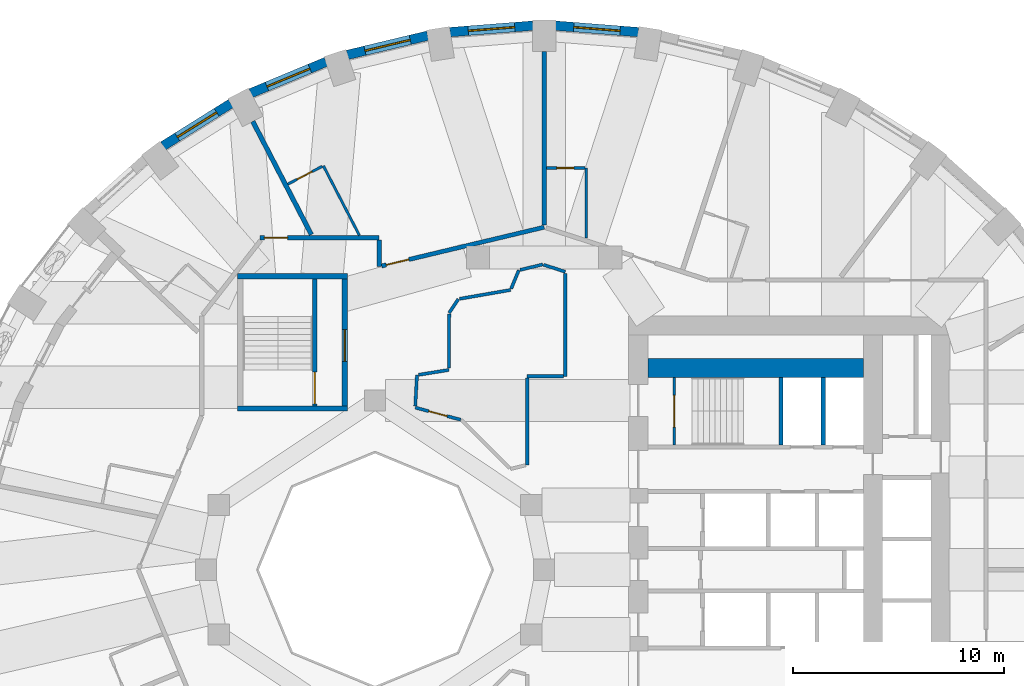
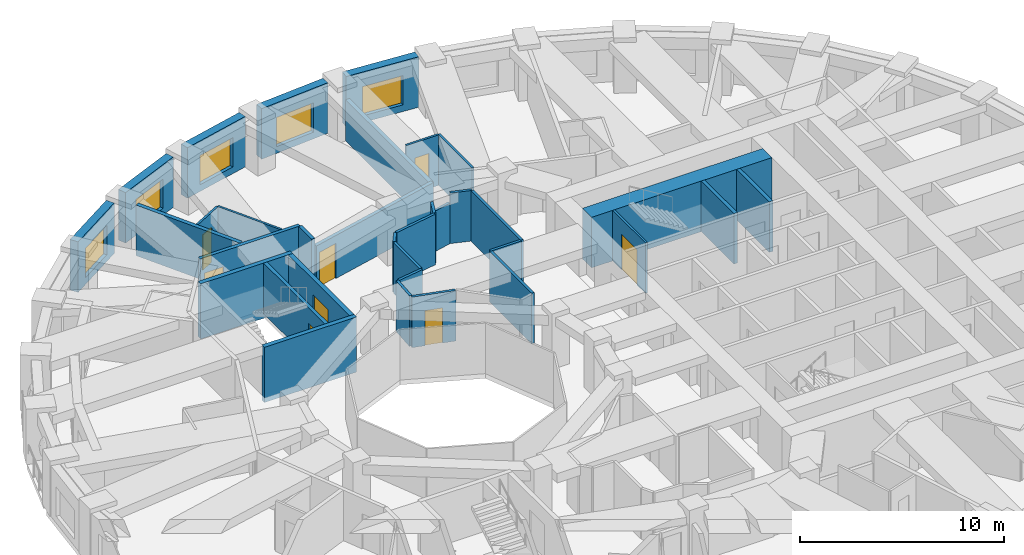
# One storey, part 8 of 13: 34 walls, 8 doors, 5 windows, 13 openings.
"""IFC4 building model written with IfcOpenShell, lengths in metres."""

import ifcopenshell
import ifcopenshell.guid

model = None  # the IFC model being written
_history = None  # IfcOwnerHistory: only IFC2X3 demands one
_inside = {}  # id of a spatial element -> (the spatial element, [elements in it])
_under = {}  # id of a project, library or spatial element -> (it, [spatial elements below it])
_declared = {}  # id of a project -> (the project, [libraries it declares])
_typed = {}  # id of a type object -> (the type object, [elements of that type])
_made_of = {}  # id of a material, layer set ... -> (it, [elements and type objects made of it])


def new_model(schema):
    """Start an empty IFC model of exactly this schema.

    Asked for "IFC4X3", IfcOpenShell would pick the latest addendum, in which some entities
    have other attributes; the version numbers below select the first issue.
    IFC2X3 requires an IfcOwnerHistory on every rooted entity: one is made here for all.
    """
    global model, _history
    if schema == "IFC4X3":
        model = ifcopenshell.file(schema_version=(4, 3, 0, 0))
    else:
        model = ifcopenshell.file(schema=schema)
    _inside.clear()
    _under.clear()
    _declared.clear()
    _typed.clear()
    _made_of.clear()
    _history = None
    if model.schema == "IFC2X3":
        org = make("IfcOrganization", Name="unknown")
        user = make(
            "IfcPersonAndOrganization",
            ThePerson=make("IfcPerson", FamilyName="unknown"),
            TheOrganization=org,
        )
        app = make(
            "IfcApplication",
            ApplicationDeveloper=org,
            Version="unknown",
            ApplicationFullName="unknown",
            ApplicationIdentifier="unknown",
        )
        _history = make(
            "IfcOwnerHistory",
            OwningUser=user,
            OwningApplication=app,
            ChangeAction="ADDED",
            CreationDate=0,
        )
    return model


def make(cls, **values):
    """One entity of the class cls with the attributes given. An attribute that is None is left unset."""
    return model.create_entity(
        cls, **{name: value for name, value in values.items() if value is not None}
    )


def rooted(cls, **values):
    """An entity with a GlobalId (a new one), such as an element, a storey or a relation."""
    return make(cls, GlobalId=ifcopenshell.guid.new(), OwnerHistory=_history, **values)


def si_unit(unit_type, name, prefix=None):
    """IfcSIUnit, for example si_unit("LENGTHUNIT", "METRE", prefix="MILLI")."""
    return make("IfcSIUnit", UnitType=unit_type, Prefix=prefix, Name=name)


def assignment(units):
    """IfcUnitAssignment: the units of a project."""
    return None if units is None else make("IfcUnitAssignment", Units=units)


def point(xyz):
    """IfcCartesianPoint."""
    return None if xyz is None else make("IfcCartesianPoint", Coordinates=xyz)


def direction(xyz):
    """IfcDirection."""
    return None if xyz is None else make("IfcDirection", DirectionRatios=xyz)


def frame(location, z_axis=None, x_axis=None):
    """IfcAxis2Placement3D, a coordinate frame: its origin and axes. An axis left out is left unset."""
    return make(
        "IfcAxis2Placement3D",
        Location=point(location),
        Axis=direction(z_axis),
        RefDirection=direction(x_axis),
    )


def frame_2d(location, x_axis=None):
    """IfcAxis2Placement2D, a coordinate frame in the plane: its origin and x axis."""
    return make(
        "IfcAxis2Placement2D", Location=point(location), RefDirection=direction(x_axis)
    )


def origin():
    """The frame at (0, 0, 0) with its axes left unset."""
    return frame((0.0, 0.0, 0.0))


def place(relative_to, where):
    """IfcLocalPlacement: puts the frame where relative to a parent placement (None: the world)."""
    return make(
        "IfcLocalPlacement", PlacementRelTo=relative_to, RelativePlacement=where
    )


def context(
    kind, dimensions, precision=None, world=None, true_north=None, identifier=None
):
    """IfcGeometricRepresentationContext, for example the 3D "Model" context."""
    return make(
        "IfcGeometricRepresentationContext",
        ContextIdentifier=identifier,
        ContextType=kind,
        CoordinateSpaceDimension=dimensions,
        Precision=precision,
        WorldCoordinateSystem=world,
        TrueNorth=true_north,
    )


def subcontext(parent, identifier, kind, view, scale=None):
    """IfcGeometricRepresentationSubContext, for example "Body" below "Model"."""
    return make(
        "IfcGeometricRepresentationSubContext",
        ContextIdentifier=identifier,
        ContextType=kind,
        ParentContext=parent,
        TargetScale=scale,
        TargetView=view,
    )


def project(units=None, contexts=None):
    """IfcProject with its units and contexts."""
    return rooted(
        "IfcProject",
        Name="project",
        RepresentationContexts=contexts,
        UnitsInContext=assignment(units),
    )


def spatial(cls, under=None, at=None, **own):
    """A site, building, storey or space (cls), placed at a placement, below another one or the project."""
    s = rooted(cls, ObjectPlacement=at, **own)
    if under is not None:
        _under.setdefault(under.id(), (under, []))[1].append(s)
    return s


def profile(cls, at=None, kind="AREA", **sizes):
    """A parametric profile (cls). Its sizes go by their IFC names, for example OverallWidth=200.0."""
    return make(cls, ProfileType=kind, Position=at, **sizes)


def rectangle(**sizes):
    """IfcRectangleProfileDef."""
    return profile("IfcRectangleProfileDef", **sizes)


def extrude(swept, where, along, depth):
    """IfcExtrudedAreaSolid: the profile swept, set in the frame where, extruded along a direction by depth."""
    return make(
        "IfcExtrudedAreaSolid",
        SweptArea=swept,
        Position=where,
        ExtrudedDirection=direction(along),
        Depth=depth,
    )


def shape(context_of_items, identifier, shape_type, items):
    """IfcShapeRepresentation: the items that make up one representation, for example the "Body"."""
    return make(
        "IfcShapeRepresentation",
        ContextOfItems=context_of_items,
        RepresentationIdentifier=identifier,
        RepresentationType=shape_type,
        Items=items,
    )


def material(Name=None, Category=None):
    """IfcMaterial."""
    return make("IfcMaterial", Name=Name, Category=Category)


def layer(
    of_material, thickness, ventilated=None, Name=None, Category=None, Priority=None
):
    """IfcMaterialLayer: one layer of a wall or slab, of a material (None: an air gap)."""
    return make(
        "IfcMaterialLayer",
        Material=of_material,
        LayerThickness=thickness,
        IsVentilated=ventilated,
        Name=Name,
        Category=Category,
        Priority=Priority,
    )


def layer_set(layers, Name=None):
    """IfcMaterialLayerSet."""
    return make("IfcMaterialLayerSet", MaterialLayers=layers, LayerSetName=Name)


def made_of(thing, what):
    """Note that an element or type object is made of a material, layer set ...; save() writes the relation."""
    if what is not None:
        _made_of.setdefault(what.id(), (what, []))[1].append(thing)
    return thing


def type_object(cls, material=None, **own):
    """A type object (cls), such as IfcWallType, which elements share."""
    return made_of(rooted(cls, **own), material)


def element(
    cls,
    number,
    at=None,
    inside=None,
    cuts=None,
    type_object=None,
    material=None,
    context=None,
    identifier="Body",
    shape_type=None,
    held_by="IfcProductDefinitionShape",
    body=None,
    shapes=None,
    **own,
):
    """One element of the class cls, such as IfcWall. Its Tag is "e" and its number.

    at: its placement. inside: the storey or other place that contains it. cuts: it is an
    opening in that element (IfcRelVoidsElement). A single representation is given by context,
    identifier, shape_type and body (its items); several are given by shapes. held_by: the class
    of the entity that holds the representations. save() writes the other relations.
    """
    e = rooted(cls, Tag="e%d" % number, ObjectPlacement=at, **own)
    if body is not None:
        shapes = [shape(context, identifier, shape_type, body)]
    if shapes is not None:
        e.Representation = make(held_by, Representations=shapes)
    if inside is not None:
        _inside.setdefault(inside.id(), (inside, []))[1].append(e)
    if cuts is not None:
        rooted(
            "IfcRelVoidsElement", RelatingBuildingElement=cuts, RelatedOpeningElement=e
        )
    if type_object is not None:
        _typed.setdefault(type_object.id(), (type_object, []))[1].append(e)
    return made_of(e, material)


def fill(opening, filler):
    """IfcRelFillsElement: the door or window that sits in an opening."""
    return rooted(
        "IfcRelFillsElement",
        RelatingOpeningElement=opening,
        RelatedBuildingElement=filler,
    )


def aggregate(whole, parts):
    """IfcRelAggregates: a whole, such as a stair, and the parts it consists of."""
    return rooted("IfcRelAggregates", RelatingObject=whole, RelatedObjects=parts)


def save(model, path):
    """Write the relations noted so far, then the file.

    IfcRelAggregates (storeys below a building ...), IfcRelContainedInSpatialStructure (elements
    in a storey), IfcRelDefinesByType, IfcRelAssociatesMaterial and IfcRelDeclares: one each for
    every whole, place, type object, material and project.
    """
    for whole, parts in _under.values():
        aggregate(whole, parts)
    for where, things in _inside.values():
        rooted(
            "IfcRelContainedInSpatialStructure",
            RelatedElements=things,
            RelatingStructure=where,
        )
    for kind, things in _typed.values():
        rooted("IfcRelDefinesByType", RelatedObjects=things, RelatingType=kind)
    for what, things in _made_of.values():
        rooted("IfcRelAssociatesMaterial", RelatedObjects=things, RelatingMaterial=what)
    for by, libraries in _declared.values():
        rooted("IfcRelDeclares", RelatingContext=by, RelatedDefinitions=libraries)
    model.write(path)


model = new_model("IFC4")

# Units and contexts
model_context = context("Model", 3, precision=1e-05, world=origin(), true_north=direction((0.0, 1.0)))
body_context = subcontext(model_context, "Body", "Model", "MODEL_VIEW")
ifc_project = project(units=[si_unit("LENGTHUNIT", "METRE"), si_unit("AREAUNIT", "SQUARE_METRE"), si_unit("VOLUMEUNIT", "CUBIC_METRE"), si_unit("PLANEANGLEUNIT", "RADIAN"), si_unit("MASSUNIT", "GRAM", prefix="KILO")], contexts=[model_context])

# Site, building, storey
site_placement = place(None, origin())
site = spatial("IfcSite", under=ifc_project, at=site_placement, CompositionType="ELEMENT")
building_placement = place(site_placement, origin())
building = spatial("IfcBuilding", under=site, at=building_placement, Name="Taillehof Tower", CompositionType="ELEMENT")
storey_placement = place(building_placement, frame((0.0, 0.0, 74.5)))
storey = spatial("IfcBuildingStorey", under=building, at=storey_placement, Name="L20", CompositionType="ELEMENT", Elevation=74.5)

# Wall, opening, window
ifc_material_1 = material(Name="Brick masonry", Category="masonry")
ifc_layer_1 = layer(ifc_material_1, 0.449951171875)
ifc_layer_set_1 = layer_set([ifc_layer_1], Name="Brick infill wall 450")
wall_type_1 = type_object("IfcWallType", Name="Brick infill wall 450", PredefinedType="SOLIDWALL", material=ifc_layer_set_1)
wall_1_placement = place(storey_placement, frame((4.457275390625, 25.42578125, 0.0), z_axis=(0.0, 0.0, 1.0), x_axis=(-0.996955972145, 0.077966592873, 0.0)))
wall_1 = element("IfcWall", 1, at=wall_1_placement, inside=storey, type_object=wall_type_1, Name="Brick wall L20 bay 9", PredefinedType="SOLIDWALL", context=body_context, shape_type="SweptSolid", body=[
    extrude(rectangle(XDim=3.939208984375, YDim=0.449951171875, at=frame_2d((1.9697265625, 0.0))), origin(), (0.0, 0.0, 1.0), 3.02001953125),
])
opening_1_placement = place(wall_1_placement, frame((0.86962890625, 0.0, 0.39990234375)))
opening_1 = element("IfcOpeningElement", 2, at=opening_1_placement, cuts=wall_1, Name="Opening W1", PredefinedType="OPENING", context=body_context, shape_type="SweptSolid", body=[
    extrude(rectangle(XDim=2.199951171875, YDim=1.75, at=frame_2d((1.10009765625, 0.875))), frame((0.0, 0.23486328125, 0.0), z_axis=(0.0, -1.0, 0.0), x_axis=(1.0, 0.0, 0.0)), (0.0, 0.0, 1.0), 0.469970703125),
])
ifc_material_2 = material(Name="Aluminium window frame with clear double glazing", Category="aluminium")
window_type = type_object("IfcWindowType", Name="Deep-set window 2200x1750", PartitioningType="SINGLE_PANEL", PredefinedType="WINDOW", material=ifc_material_2)
window_1_placement = place(opening_1_placement, origin())
window_1 = element("IfcWindow", 3, at=window_1_placement, inside=storey, type_object=window_type, Name="W1", OverallHeight=1.75, OverallWidth=2.199951171875, PartitioningType="SINGLE_PANEL", PredefinedType="WINDOW", context=body_context, shape_type="SweptSolid", body=[
    extrude(rectangle(XDim=2.199951171875, YDim=1.75, at=frame_2d((1.10009765625, 0.875))), frame((0.0, 0.034912109375, 0.0), z_axis=(0.0, -1.0, 0.0), x_axis=(1.0, 0.0, 0.0)), (0.0, 0.0, 1.0), 0.06005859375),
])
fill(opening_1, window_1)

wall_2_placement = place(storey_placement, frame((-0.530029296875, 25.73291015625, 0.0), z_axis=(0.0, 0.0, 1.0), x_axis=(-0.996955972145, -0.077966592873, 0.0)))
wall_2 = element("IfcWall", 4, at=wall_2_placement, inside=storey, type_object=wall_type_1, Name="Brick wall L20 bay 10", PredefinedType="SOLIDWALL", context=body_context, shape_type="SweptSolid", body=[
    extrude(rectangle(XDim=3.939208984375, YDim=0.449951171875, at=frame_2d((1.9697265625, 0.0))), origin(), (0.0, 0.0, 1.0), 3.02001953125),
])
opening_2_placement = place(wall_2_placement, frame((0.86962890625, 0.0, 0.39990234375)))
opening_2 = element("IfcOpeningElement", 5, at=opening_2_placement, cuts=wall_2, Name="Opening W1", PredefinedType="OPENING", context=body_context, shape_type="SweptSolid", body=[
    extrude(rectangle(XDim=2.199951171875, YDim=1.75, at=frame_2d((1.10009765625, 0.875))), frame((0.0, 0.23486328125, 0.0), z_axis=(0.0, -1.0, 0.0), x_axis=(1.0, 0.0, 0.0)), (0.0, 0.0, 1.0), 0.469970703125),
])
window_2_placement = place(opening_2_placement, origin())
window_2 = element("IfcWindow", 6, at=window_2_placement, inside=storey, type_object=window_type, Name="W1", OverallHeight=1.75, OverallWidth=2.199951171875, PartitioningType="SINGLE_PANEL", PredefinedType="WINDOW", context=body_context, shape_type="SweptSolid", body=[
    extrude(rectangle(XDim=2.199951171875, YDim=1.75, at=frame_2d((1.10009765625, 0.875))), frame((0.0, 0.034912109375, 0.0), z_axis=(0.0, -1.0, 0.0), x_axis=(1.0, 0.0, 0.0)), (0.0, 0.0, 1.0), 0.06005859375),
])
fill(opening_2, window_2)

wall_3_placement = place(storey_placement, frame((-5.50439453125, 25.260498046875, 0.0), z_axis=(0.0, 0.0, 1.0), x_axis=(-0.972496561493, -0.232917233979, 0.0)))
wall_3 = element("IfcWall", 7, at=wall_3_placement, inside=storey, type_object=wall_type_1, Name="Brick wall L20 bay 11", PredefinedType="SOLIDWALL", context=body_context, shape_type="SweptSolid", body=[
    extrude(rectangle(XDim=3.910888671875, YDim=0.449951171875, at=frame_2d((1.95556640625, 0.0))), origin(), (0.0, 0.0, 1.0), 3.02001953125),
])
opening_3_placement = place(wall_3_placement, frame((0.855224609375, 0.0, 0.39990234375)))
opening_3 = element("IfcOpeningElement", 8, at=opening_3_placement, cuts=wall_3, Name="Opening W1", PredefinedType="OPENING", context=body_context, shape_type="SweptSolid", body=[
    extrude(rectangle(XDim=2.199951171875, YDim=1.75, at=frame_2d((1.10009765625, 0.875))), frame((0.0, 0.23486328125, 0.0), z_axis=(0.0, -1.0, 0.0), x_axis=(1.0, 0.0, 0.0)), (0.0, 0.0, 1.0), 0.469970703125),
])
window_3_placement = place(opening_3_placement, origin())
window_3 = element("IfcWindow", 9, at=window_3_placement, inside=storey, type_object=window_type, Name="W1", OverallHeight=1.75, OverallWidth=2.199951171875, PartitioningType="SINGLE_PANEL", PredefinedType="WINDOW", context=body_context, shape_type="SweptSolid", body=[
    extrude(rectangle(XDim=2.199951171875, YDim=1.75, at=frame_2d((1.10009765625, 0.875))), frame((0.0, 0.034912109375, 0.0), z_axis=(0.0, -1.0, 0.0), x_axis=(1.0, 0.0, 0.0)), (0.0, 0.0, 1.0), 0.06005859375),
])
fill(opening_3, window_3)

wall_4_placement = place(storey_placement, frame((-10.3154296875, 24.02099609375, 0.0), z_axis=(0.0, 0.0, 1.0), x_axis=(-0.923031964282, -0.384723267966, 0.0)))
wall_4 = element("IfcWall", 10, at=wall_4_placement, inside=storey, type_object=wall_type_1, Name="Brick wall L20 bay 12", PredefinedType="SOLIDWALL", context=body_context, shape_type="SweptSolid", body=[
    extrude(rectangle(XDim=3.8564453125, YDim=0.449951171875, at=frame_2d((1.92822265625, 0.0))), origin(), (0.0, 0.0, 1.0), 3.02001953125),
])
opening_4_placement = place(wall_4_placement, frame((0.828125, 0.0, 0.39990234375)))
opening_4 = element("IfcOpeningElement", 11, at=opening_4_placement, cuts=wall_4, Name="Opening W1", PredefinedType="OPENING", context=body_context, shape_type="SweptSolid", body=[
    extrude(rectangle(XDim=2.199951171875, YDim=1.75, at=frame_2d((1.10009765625, 0.875))), frame((0.0, 0.23486328125, 0.0), z_axis=(0.0, -1.0, 0.0), x_axis=(1.0, 0.0, 0.0)), (0.0, 0.0, 1.0), 0.469970703125),
])
window_4_placement = place(opening_4_placement, origin())
window_4 = element("IfcWindow", 12, at=window_4_placement, inside=storey, type_object=window_type, Name="W1", OverallHeight=1.75, OverallWidth=2.199951171875, PartitioningType="SINGLE_PANEL", PredefinedType="WINDOW", context=body_context, shape_type="SweptSolid", body=[
    extrude(rectangle(XDim=2.199951171875, YDim=1.75, at=frame_2d((1.10009765625, 0.875))), frame((0.0, 0.034912109375, 0.0), z_axis=(0.0, -1.0, 0.0), x_axis=(1.0, 0.0, 0.0)), (0.0, 0.0, 1.0), 0.06005859375),
])
fill(opening_4, window_4)

wall_5_placement = place(storey_placement, frame((-14.81689453125, 22.050537109375, 0.0), z_axis=(0.0, 0.0, 1.0), x_axis=(-0.847635480093, -0.530579016629, 0.0)))
wall_5 = element("IfcWall", 13, at=wall_5_placement, inside=storey, type_object=wall_type_1, Name="Brick wall L20 bay 13", PredefinedType="SOLIDWALL", context=body_context, shape_type="SweptSolid", body=[
    extrude(rectangle(XDim=3.782470703125, YDim=0.449951171875, at=frame_2d((1.89111328125, 0.0))), origin(), (0.0, 0.0, 1.0), 3.02001953125),
])
opening_5_placement = place(wall_5_placement, frame((0.791259765625, 0.0, 0.39990234375)))
opening_5 = element("IfcOpeningElement", 14, at=opening_5_placement, cuts=wall_5, Name="Opening W1", PredefinedType="OPENING", context=body_context, shape_type="SweptSolid", body=[
    extrude(rectangle(XDim=2.199951171875, YDim=1.75, at=frame_2d((1.10009765625, 0.875))), frame((0.0, 0.23486328125, 0.0), z_axis=(0.0, -1.0, 0.0), x_axis=(1.0, 0.0, 0.0)), (0.0, 0.0, 1.0), 0.469970703125),
])
window_5_placement = place(opening_5_placement, origin())
window_5 = element("IfcWindow", 15, at=window_5_placement, inside=storey, type_object=window_type, Name="W1", OverallHeight=1.75, OverallWidth=2.199951171875, PartitioningType="SINGLE_PANEL", PredefinedType="WINDOW", context=body_context, shape_type="SweptSolid", body=[
    extrude(rectangle(XDim=2.199951171875, YDim=1.75, at=frame_2d((1.10009765625, 0.875))), frame((0.0, 0.034912109375, 0.0), z_axis=(0.0, -1.0, 0.0), x_axis=(1.0, 0.0, 0.0)), (0.0, 0.0, 1.0), 0.06005859375),
])
fill(opening_5, window_5)

# Wall, opening, door
ifc_material_3 = material(Name="Gypsum board on steel studs, two layers each side", Category="steel")
ifc_layer_2 = layer(ifc_material_3, 0.199951171875)
ifc_layer_set_2 = layer_set([ifc_layer_2], Name="Compartment wall corridor 200")
wall_type_2 = type_object("IfcWallType", Name="Compartment wall corridor 200", PredefinedType="PARTITIONING", material=ifc_layer_set_2)
wall_6_placement = place(storey_placement, frame((-13.450439453125, 15.699951171875, 0.0), z_axis=(0.0, 0.0, 1.0), x_axis=(1.0, 0.0, 0.0)))
wall_6 = element("IfcWall", 16, at=wall_6_placement, inside=storey, type_object=wall_type_2, Name="Compartment wall", PredefinedType="PARTITIONING", context=body_context, shape_type="SweptSolid", body=[
    extrude(rectangle(XDim=5.650390625, YDim=0.199951171875, at=frame_2d((2.8251953125, 0.0))), origin(), (0.0, 0.0, 1.0), 3.02001953125),
])
opening_6_placement = place(wall_6_placement, frame((0.219970703125, 0.0, 0.0)))
opening_6 = element("IfcOpeningElement", 17, at=opening_6_placement, cuts=wall_6, Name="Opening D2046", PredefinedType="OPENING", context=body_context, shape_type="SweptSolid", body=[
    extrude(rectangle(XDim=1.10009765625, YDim=2.10009765625, at=frame_2d((0.550048828125, 1.050048828125))), frame((0.0, 0.10986328125, 0.0), z_axis=(0.0, -1.0, 0.0), x_axis=(1.0, 0.0, 0.0)), (0.0, 0.0, 1.0), 0.219970703125),
])
ifc_material_4 = material(Name="Timber door leaf in steel frame", Category="steel")
door_type_1 = type_object("IfcDoorType", Name="Suite entrance door EI 30 1100 x 2100", OperationType="SINGLE_SWING_LEFT", PredefinedType="DOOR", material=ifc_material_4)
door_1_placement = place(opening_6_placement, origin())
door_1 = element("IfcDoor", 18, at=door_1_placement, inside=storey, type_object=door_type_1, Name="D2046", OperationType="SINGLE_SWING_RIGHT", OverallHeight=2.10009765625, OverallWidth=1.10009765625, PredefinedType="DOOR", context=body_context, shape_type="SweptSolid", body=[
    extrude(rectangle(XDim=1.10009765625, YDim=2.10009765625, at=frame_2d((0.550048828125, 1.050048828125))), frame((0.0, 0.02490234375, 0.0), z_axis=(0.0, -1.0, 0.0), x_axis=(1.0, 0.0, 0.0)), (0.0, 0.0, 1.0), 0.050048828125),
])
fill(opening_6, door_1)

# Wall
wall_7_placement = place(storey_placement, frame((-7.800048828125, 15.599853515625, 0.0), z_axis=(0.0, 0.0, 1.0), x_axis=(0.0, -1.0, 0.0)))
element("IfcWall", 19, at=wall_7_placement, inside=storey, type_object=wall_type_2, Name="Compartment wall", PredefinedType="PARTITIONING", context=body_context, shape_type="SweptSolid", body=[
    extrude(rectangle(XDim=1.26220703125, YDim=0.199951171875, at=frame_2d((0.631103515625, 0.0))), origin(), (0.0, 0.0, 1.0), 3.02001953125),
])

# Wall, opening, door
wall_8_placement = place(storey_placement, frame((-7.682861328125, 14.365478515625, 0.0), z_axis=(0.0, 0.0, 1.0), x_axis=(0.972657109353, 0.23224587752, 0.0)))
wall_8 = element("IfcWall", 20, at=wall_8_placement, inside=storey, type_object=wall_type_2, Name="Compartment wall", PredefinedType="PARTITIONING", context=body_context, shape_type="SweptSolid", body=[
    extrude(rectangle(XDim=7.89892578125, YDim=0.199951171875, at=frame_2d((3.949462890625, 0.0))), origin(), (0.0, 0.0, 1.0), 2.570068359375),
])
opening_7_placement = place(wall_8_placement, frame((0.219970703125, 0.0, 0.0)))
opening_7 = element("IfcOpeningElement", 21, at=opening_7_placement, cuts=wall_8, Name="Opening D2044", PredefinedType="OPENING", context=body_context, shape_type="SweptSolid", body=[
    extrude(rectangle(XDim=1.10009765625, YDim=2.10009765625, at=frame_2d((0.550048828125, 1.050048828125))), frame((0.0, 0.10986328125, 0.0), z_axis=(0.0, -1.0, 0.0), x_axis=(1.0, 0.0, 0.0)), (0.0, 0.0, 1.0), 0.219970703125),
])
door_2_placement = place(opening_7_placement, origin())
door_2 = element("IfcDoor", 22, at=door_2_placement, inside=storey, type_object=door_type_1, Name="D2044", OperationType="SINGLE_SWING_LEFT", OverallHeight=2.10009765625, OverallWidth=1.10009765625, PredefinedType="DOOR", context=body_context, shape_type="SweptSolid", body=[
    extrude(rectangle(XDim=1.10009765625, YDim=2.10009765625, at=frame_2d((0.550048828125, 1.050048828125))), frame((0.0, 0.02490234375, 0.0), z_axis=(0.0, -1.0, 0.0), x_axis=(1.0, 0.0, 0.0)), (0.0, 0.0, 1.0), 0.050048828125),
])
fill(opening_7, door_2)

# Walls
ifc_material_5 = material(Name="Gypsum board on double steel studs with mineral wool", Category="steel")
ifc_layer_3 = layer(ifc_material_5, 0.219970703125)
ifc_layer_set_3 = layer_set([ifc_layer_3], Name="Compartment wall guest room 220")
wall_type_3 = type_object("IfcWallType", Name="Compartment wall guest room 220", PredefinedType="PARTITIONING", material=ifc_layer_set_3)
wall_9_placement = place(storey_placement, frame((0.0, 24.5, 0.0), z_axis=(0.0, 0.0, 1.0), x_axis=(0.0, -1.0, 0.0)))
element("IfcWall", 23, at=wall_9_placement, inside=storey, type_object=wall_type_3, Name="Compartment wall", PredefinedType="PARTITIONING", context=body_context, shape_type="SweptSolid", body=[
    extrude(rectangle(XDim=8.199951171875, YDim=0.219970703125, at=frame_2d((4.10009765625, 0.0))), origin(), (0.0, 0.0, 1.0), 2.469970703125),
])
wall_10_placement = place(storey_placement, frame((-13.7802734375, 21.201171875, 0.0), z_axis=(0.0, 0.0, 1.0), x_axis=(0.459689820266, -0.888079539875, 0.0)))
element("IfcWall", 24, at=wall_10_placement, inside=storey, type_object=wall_type_3, Name="Compartment wall", PredefinedType="PARTITIONING", context=body_context, shape_type="SweptSolid", body=[
    extrude(rectangle(XDim=6.021484375, YDim=0.219970703125, at=frame_2d((3.0107421875, 0.0))), origin(), (0.0, 0.0, 1.0), 3.02001953125),
])
ifc_material_6 = material(Name="Gypsum board on steel studs, two layers each side", Category="steel")
ifc_layer_4 = layer(ifc_material_6, 0.14990234375)
ifc_layer_set_4 = layer_set([ifc_layer_4], Name="Compartment wall service room 150")
wall_type_4 = type_object("IfcWallType", Name="Compartment wall service room 150", PredefinedType="PARTITIONING", material=ifc_layer_set_4)
wall_11_placement = place(storey_placement, frame((-4.492431640625, 12.146240234375, 0.0), z_axis=(0.0, 0.0, 1.0), x_axis=(0.553770185429, 0.832669551341, 0.0)))
element("IfcWall", 25, at=wall_11_placement, inside=storey, type_object=wall_type_4, Name="Compartment wall", PredefinedType="PARTITIONING", context=body_context, shape_type="SweptSolid", body=[
    extrude(rectangle(XDim=0.787841796875, YDim=0.14990234375, at=frame_2d((0.39404296875, 0.0))), origin(), (0.0, 0.0, 1.0), 3.02001953125),
])
wall_12_placement = place(storey_placement, frame((-3.996826171875, 12.8125, 0.0), z_axis=(0.0, 0.0, 1.0), x_axis=(0.985187584004, 0.171480098917, 0.0)))
element("IfcWall", 26, at=wall_12_placement, inside=storey, type_object=wall_type_4, Name="Compartment wall", PredefinedType="PARTITIONING", context=body_context, shape_type="SweptSolid", body=[
    extrude(rectangle(XDim=2.447265625, YDim=0.14990234375, at=frame_2d((1.2236328125, 0.0))), origin(), (0.0, 0.0, 1.0), 3.02001953125),
])
wall_13_placement = place(storey_placement, frame((-1.56298828125, 13.287841796875, 0.0), z_axis=(0.0, 0.0, 1.0), x_axis=(0.382918810849, 0.923782000419, 0.0)))
element("IfcWall", 27, at=wall_13_placement, inside=storey, type_object=wall_type_4, Name="Compartment wall", PredefinedType="PARTITIONING", context=body_context, shape_type="SweptSolid", body=[
    extrude(rectangle(XDim=0.95068359375, YDim=0.14990234375, at=frame_2d((0.475341796875, 0.0))), origin(), (0.0, 0.0, 1.0), 3.02001953125),
])
wall_14_placement = place(storey_placement, frame((-1.140380859375, 14.179931640625, 0.0), z_axis=(0.0, 0.0, 1.0), x_axis=(0.972668158826, 0.232199596913, 0.0)))
element("IfcWall", 28, at=wall_14_placement, inside=storey, type_object=wall_type_4, Name="Compartment wall", PredefinedType="PARTITIONING", context=body_context, shape_type="SweptSolid", body=[
    extrude(rectangle(XDim=1.101806640625, YDim=0.14990234375, at=frame_2d((0.55078125, 0.0))), origin(), (0.0, 0.0, 1.0), 2.419921875),
])
wall_15_placement = place(storey_placement, frame((-0.030517578125, 14.423583984375, 0.0), z_axis=(0.0, 0.0, 1.0), x_axis=(0.951683114319, -0.307081829354, 0.0)))
element("IfcWall", 29, at=wall_15_placement, inside=storey, type_object=wall_type_4, Name="Compartment wall", PredefinedType="PARTITIONING", context=body_context, shape_type="SweptSolid", body=[
    extrude(rectangle(XDim=1.082763671875, YDim=0.14990234375, at=frame_2d((0.54150390625, 0.0))), origin(), (0.0, 0.0, 1.0), 3.02001953125),
])
wall_16_placement = place(storey_placement, frame((1.0, 14.010986328125, 0.0), z_axis=(0.0, 0.0, 1.0), x_axis=(0.0, -1.0, 0.0)))
element("IfcWall", 30, at=wall_16_placement, inside=storey, type_object=wall_type_4, Name="Compartment wall", PredefinedType="PARTITIONING", context=body_context, shape_type="SweptSolid", body=[
    extrude(rectangle(XDim=4.861083984375, YDim=0.14990234375, at=frame_2d((2.4306640625, 0.0))), origin(), (0.0, 0.0, 1.0), 3.02001953125),
])
wall_17_placement = place(storey_placement, frame((0.919921875, 9.14990234375, 0.0), z_axis=(0.0, 0.0, 1.0), x_axis=(-1.0, 0.0, 0.0)))
element("IfcWall", 31, at=wall_17_placement, inside=storey, type_object=wall_type_4, Name="Compartment wall", PredefinedType="PARTITIONING", context=body_context, shape_type="SweptSolid", body=[
    extrude(rectangle(XDim=1.719970703125, YDim=0.14990234375, at=frame_2d((0.85986328125, 0.0))), origin(), (0.0, 0.0, 1.0), 3.02001953125),
])
wall_18_placement = place(storey_placement, frame((-0.800048828125, 9.06982421875, 0.0), z_axis=(0.0, 0.0, 1.0), x_axis=(0.0, -1.0, 0.0)))
element("IfcWall", 32, at=wall_18_placement, inside=storey, type_object=wall_type_4, Name="Compartment wall", PredefinedType="PARTITIONING", context=body_context, shape_type="SweptSolid", body=[
    extrude(rectangle(XDim=4.1083984375, YDim=0.14990234375, at=frame_2d((2.05419921875, 0.0))), origin(), (0.0, 0.0, 1.0), 3.02001953125),
])

# Wall, opening, door
wall_19_placement = place(storey_placement, frame((-3.94921875, 7.09326171875, 0.0), z_axis=(0.0, 0.0, 1.0), x_axis=(-0.965915749371, 0.258856649746, 0.0)))
wall_19 = element("IfcWall", 33, at=wall_19_placement, inside=storey, type_object=wall_type_4, Name="Compartment wall", PredefinedType="PARTITIONING", context=body_context, shape_type="SweptSolid", body=[
    extrude(rectangle(XDim=2.226806640625, YDim=0.14990234375, at=frame_2d((1.11328125, 0.0))), origin(), (0.0, 0.0, 1.0), 3.02001953125),
])
opening_8_placement = place(wall_19_placement, frame((0.663330078125, 0.0, 0.0)))
opening_8 = element("IfcOpeningElement", 34, at=opening_8_placement, cuts=wall_19, Name="Opening D2068", PredefinedType="OPENING", context=body_context, shape_type="SweptSolid", body=[
    extrude(rectangle(XDim=0.89990234375, YDim=2.10009765625, at=frame_2d((0.449951171875, 1.050048828125))), frame((0.0, 0.0849609375, 0.0), z_axis=(0.0, -1.0, 0.0), x_axis=(1.0, 0.0, 0.0)), (0.0, 0.0, 1.0), 0.169921875),
])
ifc_material_7 = material(Name="Timber door leaf in steel frame", Category="steel")
door_type_2 = type_object("IfcDoorType", Name="Service room door EI 30 900 x 2100", OperationType="SINGLE_SWING_LEFT", PredefinedType="DOOR", material=ifc_material_7)
door_3_placement = place(opening_8_placement, origin())
door_3 = element("IfcDoor", 35, at=door_3_placement, inside=storey, type_object=door_type_2, Name="D2068", OperationType="SINGLE_SWING_LEFT", OverallHeight=2.10009765625, OverallWidth=0.89990234375, PredefinedType="DOOR", context=body_context, shape_type="SweptSolid", body=[
    extrude(rectangle(XDim=0.89990234375, YDim=2.10009765625, at=frame_2d((0.449951171875, 1.050048828125))), frame((0.0, 0.02490234375, 0.0), z_axis=(0.0, -1.0, 0.0), x_axis=(1.0, 0.0, 0.0)), (0.0, 0.0, 1.0), 0.050048828125),
])
fill(opening_8, door_3)

# Walls
wall_20_placement = place(storey_placement, frame((-6.09521484375, 7.749755859375, 0.0), z_axis=(0.0, 0.0, 1.0), x_axis=(0.05473759482, 0.998500774017, 0.0)))
element("IfcWall", 36, at=wall_20_placement, inside=storey, type_object=wall_type_4, Name="Compartment wall", PredefinedType="PARTITIONING", context=body_context, shape_type="SweptSolid", body=[
    extrude(rectangle(XDim=1.45849609375, YDim=0.14990234375, at=frame_2d((0.729248046875, 0.0))), origin(), (0.0, 0.0, 1.0), 3.02001953125),
])
wall_21_placement = place(storey_placement, frame((-5.936279296875, 9.21875, 0.0), z_axis=(0.0, 0.0, 1.0), x_axis=(0.987290432374, 0.158926404803, 0.0)))
element("IfcWall", 37, at=wall_21_placement, inside=storey, type_object=wall_type_4, Name="Compartment wall", PredefinedType="PARTITIONING", context=body_context, shape_type="SweptSolid", body=[
    extrude(rectangle(XDim=1.454833984375, YDim=0.14990234375, at=frame_2d((0.7275390625, 0.0))), origin(), (0.0, 0.0, 1.0), 3.02001953125),
])
wall_22_placement = place(storey_placement, frame((-4.5, 9.530029296875, 0.0), z_axis=(0.0, 0.0, 1.0), x_axis=(0.002937819013, 0.9999956846, 0.0)))
element("IfcWall", 38, at=wall_22_placement, inside=storey, type_object=wall_type_4, Name="Compartment wall", PredefinedType="PARTITIONING", context=body_context, shape_type="SweptSolid", body=[
    extrude(rectangle(XDim=2.576171875, YDim=0.14990234375, at=frame_2d((1.2880859375, 0.0))), origin(), (0.0, 0.0, 1.0), 3.02001953125),
])
ifc_material_8 = material(Name="Concrete C80/95", Category="concrete")
ifc_layer_5 = layer(ifc_material_8, 0.89990234375)
ifc_layer_set_5 = layer_set([ifc_layer_5], Name="Core wall C80/95 900")
wall_type_5 = type_object("IfcWallType", Name="Core wall C80/95 900", PredefinedType="SHEAR", material=ifc_layer_set_5)
wall_23_placement = place(storey_placement, frame((4.89990234375, 9.550048828125, 0.0), z_axis=(0.0, 0.0, 1.0), x_axis=(1.0, 0.0, 0.0)))
element("IfcWall", 39, at=wall_23_placement, inside=storey, type_object=wall_type_5, Name="Core wall CW06", PredefinedType="SHEAR", context=body_context, shape_type="SweptSolid", body=[
    extrude(rectangle(XDim=10.2001953125, YDim=0.89990234375, at=frame_2d((5.10009765625, 0.0))), origin(), (0.0, 0.0, 1.0), 3.02001953125),
])
ifc_material_9 = material(Name="Gypsum board on steel studs, moisture resistant", Category="steel")
ifc_layer_6 = layer(ifc_material_9, 0.1201171875)
ifc_layer_set_6 = layer_set([ifc_layer_6], Name="En-suite wall 120")
wall_type_6 = type_object("IfcWallType", Name="En-suite wall 120", PredefinedType="PARTITIONING", material=ifc_layer_set_6)
wall_24_placement = place(storey_placement, frame((2.0, 15.6796875, 0.0), z_axis=(0.0, 0.0, 1.0), x_axis=(0.0, 1.0, 0.0)))
element("IfcWall", 40, at=wall_24_placement, inside=storey, type_object=wall_type_6, Name="En-suite wall", PredefinedType="PARTITIONING", context=body_context, shape_type="SweptSolid", body=[
    extrude(rectangle(XDim=3.3203125, YDim=0.1201171875, at=frame_2d((1.66015625, 0.0))), origin(), (0.0, 0.0, 1.0), 3.02001953125),
])
wall_25_placement = place(storey_placement, frame((-8.74169921875, 15.81787109375, 0.0), z_axis=(0.0, 0.0, 1.0), x_axis=(-0.45967225044, 0.888088634189, 0.0)))
element("IfcWall", 41, at=wall_25_placement, inside=storey, type_object=wall_type_6, Name="En-suite wall", PredefinedType="PARTITIONING", context=body_context, shape_type="SweptSolid", body=[
    extrude(rectangle(XDim=3.702392578125, YDim=0.1201171875, at=frame_2d((1.85107421875, 0.0))), origin(), (0.0, 0.0, 1.0), 3.02001953125),
])

# Wall, opening, door
wall_26_placement = place(storey_placement, frame((1.93994140625, 19.0, 0.0), z_axis=(0.0, 0.0, 1.0), x_axis=(-1.0, 0.0, 0.0)))
wall_26 = element("IfcWall", 42, at=wall_26_placement, inside=storey, type_object=wall_type_6, Name="En-suite wall", PredefinedType="PARTITIONING", context=body_context, shape_type="SweptSolid", body=[
    extrude(rectangle(XDim=1.829833984375, YDim=0.1201171875, at=frame_2d((0.9150390625, 0.0))), origin(), (0.0, 0.0, 1.0), 3.02001953125),
])
opening_9_placement = place(wall_26_placement, frame((0.5400390625, 0.0, 0.0)))
opening_9 = element("IfcOpeningElement", 43, at=opening_9_placement, cuts=wall_26, Name="Opening D2043", PredefinedType="OPENING", context=body_context, shape_type="SweptSolid", body=[
    extrude(rectangle(XDim=0.800048828125, YDim=2.10009765625, at=frame_2d((0.39990234375, 1.050048828125))), frame((0.0, 0.070068359375, 0.0), z_axis=(0.0, -1.0, 0.0), x_axis=(1.0, 0.0, 0.0)), (0.0, 0.0, 1.0), 0.14013671875),
])
ifc_material_10 = material(Name="Timber door leaf in steel frame", Category="steel")
door_type_3 = type_object("IfcDoorType", Name="En-suite door 800 x 2100", OperationType="SINGLE_SWING_LEFT", PredefinedType="DOOR", material=ifc_material_10)
door_4_placement = place(opening_9_placement, origin())
door_4 = element("IfcDoor", 44, at=door_4_placement, inside=storey, type_object=door_type_3, Name="D2043", OperationType="SINGLE_SWING_LEFT", OverallHeight=2.10009765625, OverallWidth=0.800048828125, PredefinedType="DOOR", context=body_context, shape_type="SweptSolid", body=[
    extrude(rectangle(XDim=0.800048828125, YDim=2.10009765625, at=frame_2d((0.39990234375, 1.050048828125))), frame((0.0, 0.02490234375, 0.0), z_axis=(0.0, -1.0, 0.0), x_axis=(1.0, 0.0, 0.0)), (0.0, 0.0, 1.0), 0.050048828125),
])
fill(opening_9, door_4)

wall_27_placement = place(storey_placement, frame((-10.4970703125, 19.078125, 0.0), z_axis=(0.0, 0.0, 1.0), x_axis=(-0.888095574179, -0.459658842104, 0.0)))
wall_27 = element("IfcWall", 45, at=wall_27_placement, inside=storey, type_object=wall_type_6, Name="En-suite wall", PredefinedType="PARTITIONING", context=body_context, shape_type="SweptSolid", body=[
    extrude(rectangle(XDim=1.829833984375, YDim=0.1201171875, at=frame_2d((0.9150390625, 0.0))), origin(), (0.0, 0.0, 1.0), 3.02001953125),
])
opening_10_placement = place(wall_27_placement, frame((0.539794921875, 0.0, 0.0)))
opening_10 = element("IfcOpeningElement", 46, at=opening_10_placement, cuts=wall_27, Name="Opening D2045", PredefinedType="OPENING", context=body_context, shape_type="SweptSolid", body=[
    extrude(rectangle(XDim=0.800048828125, YDim=2.10009765625, at=frame_2d((0.39990234375, 1.050048828125))), frame((0.0, 0.070068359375, 0.0), z_axis=(0.0, -1.0, 0.0), x_axis=(1.0, 0.0, 0.0)), (0.0, 0.0, 1.0), 0.14013671875),
])
door_5_placement = place(opening_10_placement, origin())
door_5 = element("IfcDoor", 47, at=door_5_placement, inside=storey, type_object=door_type_3, Name="D2045", OperationType="SINGLE_SWING_LEFT", OverallHeight=2.10009765625, OverallWidth=0.800048828125, PredefinedType="DOOR", context=body_context, shape_type="SweptSolid", body=[
    extrude(rectangle(XDim=0.800048828125, YDim=2.10009765625, at=frame_2d((0.39990234375, 1.050048828125))), frame((0.0, 0.02490234375, 0.0), z_axis=(0.0, -1.0, 0.0), x_axis=(1.0, 0.0, 0.0)), (0.0, 0.0, 1.0), 0.050048828125),
])
fill(opening_10, door_5)

# Walls
ifc_material_11 = material(Name="Concrete C50/60", Category="concrete")
ifc_layer_7 = layer(ifc_material_11, 0.199951171875)
ifc_layer_set_7 = layer_set([ifc_layer_7], Name="Shaft wall C50/60 200")
wall_type_7 = type_object("IfcWallType", Name="Shaft wall C50/60 200", PredefinedType="SHEAR", material=ifc_layer_set_7)
for number, where, z_axis, x_axis, name in (
    (48, (11.199951171875, 5.89990234375, 0.0), (0.0, 0.0, 1.0), (0.0, 1.0, 0.0), "Shaft wall SW"),
    (49, (13.199951171875, 5.89990234375, 0.0), (0.0, 0.0, 1.0), (0.0, 1.0, 0.0), "Shaft wall SW"),
):
    element("IfcWall", number, at=place(storey_placement, frame(where, z_axis=z_axis, x_axis=x_axis)), inside=storey, type_object=wall_type_7, Name=name, PredefinedType="SHEAR", context=body_context, shape_type="SweptSolid", body=[
        extrude(rectangle(XDim=3.2001953125, YDim=0.199951171875, at=frame_2d((1.60009765625, 0.0))), origin(), (0.0, 0.0, 1.0), 3.02001953125),
    ])

# Wall, opening, door
wall_28_placement = place(storey_placement, frame((-10.85009765625, 7.75, 0.0), z_axis=(0.0, 0.0, 1.0), x_axis=(0.0, 1.0, 0.0)))
wall_28 = element("IfcWall", 50, at=wall_28_placement, inside=storey, type_object=wall_type_7, Name="Shaft wall SW", PredefinedType="SHEAR", context=body_context, shape_type="SweptSolid", body=[
    extrude(rectangle(XDim=6.0, YDim=0.199951171875, at=frame_2d((3.0, 0.0))), origin(), (0.0, 0.0, 1.0), 3.02001953125),
])
opening_11_placement = place(wall_28_placement, frame((0.10009765625, 0.0, 0.0)))
opening_11 = element("IfcOpeningElement", 51, at=opening_11_placement, cuts=wall_28, Name="Opening D2012", PredefinedType="OPENING", context=body_context, shape_type="SweptSolid", body=[
    extrude(rectangle(XDim=1.5, YDim=2.10009765625, at=frame_2d((0.75, 1.050048828125))), frame((0.0, 0.10986328125, 0.0), z_axis=(0.0, -1.0, 0.0), x_axis=(1.0, 0.0, 0.0)), (0.0, 0.0, 1.0), 0.219970703125),
])
ifc_material_12 = material(Name="Steel-faced fire door", Category="steel")
door_type_4 = type_object("IfcDoorType", Name="Stair door 1500x2100", OperationType="DOUBLE_DOOR_SINGLE_SWING", PredefinedType="DOOR", material=ifc_material_12)
door_6_placement = place(opening_11_placement, origin())
door_6 = element("IfcDoor", 52, at=door_6_placement, inside=storey, type_object=door_type_4, Name="Stair lobby door S3", OperationType="DOUBLE_DOOR_SINGLE_SWING", OverallHeight=2.10009765625, OverallWidth=1.5, PredefinedType="DOOR", context=body_context, shape_type="SweptSolid", body=[
    extrude(rectangle(XDim=1.5, YDim=2.10009765625, at=frame_2d((0.75, 1.050048828125))), frame((0.0, 0.02490234375, 0.0), z_axis=(0.0, -1.0, 0.0), x_axis=(1.0, 0.0, 0.0)), (0.0, 0.0, 1.0), 0.050048828125),
])
fill(opening_11, door_6)

ifc_material_13 = material(Name="Concrete C50/60", Category="concrete")
ifc_layer_8 = layer(ifc_material_13, 0.1201171875)
ifc_layer_set_8 = layer_set([ifc_layer_8], Name="Stair lobby wall C50/60 120")
wall_type_8 = type_object("IfcWallType", Name="Stair lobby wall C50/60 120", PredefinedType="SHEAR", material=ifc_layer_set_8)
wall_29_placement = place(storey_placement, frame((6.159912109375, 5.89990234375, 0.0), z_axis=(0.0, 0.0, 1.0), x_axis=(0.0, 1.0, 0.0)))
wall_29 = element("IfcWall", 53, at=wall_29_placement, inside=storey, type_object=wall_type_8, Name="Compartment wall SW", PredefinedType="SHEAR", context=body_context, shape_type="SweptSolid", body=[
    extrude(rectangle(XDim=3.2001953125, YDim=0.1201171875, at=frame_2d((1.60009765625, 0.0))), origin(), (0.0, 0.0, 1.0), 3.02001953125),
])
opening_12_placement = place(wall_29_placement, frame((0.85009765625, 0.0, 0.0)))
opening_12 = element("IfcOpeningElement", 54, at=opening_12_placement, cuts=wall_29, Name="Opening D2010", PredefinedType="OPENING", context=body_context, shape_type="SweptSolid", body=[
    extrude(rectangle(XDim=1.5, YDim=2.10009765625, at=frame_2d((0.75, 1.050048828125))), frame((0.0, 0.070068359375, 0.0), z_axis=(0.0, -1.0, 0.0), x_axis=(1.0, 0.0, 0.0)), (0.0, 0.0, 1.0), 0.14013671875),
])
door_7_placement = place(opening_12_placement, origin())
door_7 = element("IfcDoor", 55, at=door_7_placement, inside=storey, type_object=door_type_4, Name="Stair lobby door S1", OperationType="DOUBLE_DOOR_SINGLE_SWING", OverallHeight=2.10009765625, OverallWidth=1.5, PredefinedType="DOOR", context=body_context, shape_type="SweptSolid", body=[
    extrude(rectangle(XDim=1.5, YDim=2.10009765625, at=frame_2d((0.75, 1.050048828125))), frame((0.0, 0.02490234375, 0.0), z_axis=(0.0, -1.0, 0.0), x_axis=(1.0, 0.0, 0.0)), (0.0, 0.0, 1.0), 0.050048828125),
])
fill(opening_12, door_7)

ifc_material_14 = material(Name="Concrete C50/60", Category="concrete")
ifc_layer_9 = layer(ifc_material_14, 0.25)
ifc_layer_set_9 = layer_set([ifc_layer_9], Name="Stair wall C50/60 250")
wall_type_9 = type_object("IfcWallType", Name="Stair wall C50/60 250", PredefinedType="SHEAR", material=ifc_layer_set_9)
wall_30_placement = place(storey_placement, frame((-9.425048828125, 7.75, -0.280029296875), z_axis=(0.0, 0.0, 1.0), x_axis=(0.0, 1.0, 0.0)))
wall_30 = element("IfcWall", 56, at=wall_30_placement, inside=storey, type_object=wall_type_9, Name="Stair wall SC", PredefinedType="SHEAR", context=body_context, shape_type="SweptSolid", body=[
    extrude(rectangle(XDim=6.0, YDim=0.25, at=frame_2d((3.0, 0.0))), origin(), (0.0, 0.0, 1.0), 3.300048828125),
])
opening_13_placement = place(wall_30_placement, frame((2.10009765625, 0.0, 0.280029296875)))
opening_13 = element("IfcOpeningElement", 57, at=opening_13_placement, cuts=wall_30, Name="Opening D2019", PredefinedType="OPENING", context=body_context, shape_type="SweptSolid", body=[
    extrude(rectangle(XDim=1.5, YDim=2.10009765625, at=frame_2d((0.75, 1.050048828125))), frame((0.0, 0.135009765625, 0.0), z_axis=(0.0, -1.0, 0.0), x_axis=(1.0, 0.0, 0.0)), (0.0, 0.0, 1.0), 0.27001953125),
])
door_8_placement = place(opening_13_placement, origin())
door_8 = element("IfcDoor", 58, at=door_8_placement, inside=storey, type_object=door_type_4, Name="Stair door S3", OperationType="DOUBLE_DOOR_SINGLE_SWING", OverallHeight=2.10009765625, OverallWidth=1.5, PredefinedType="DOOR", context=body_context, shape_type="SweptSolid", body=[
    extrude(rectangle(XDim=1.5, YDim=2.10009765625, at=frame_2d((0.75, 1.050048828125))), frame((0.0, 0.02490234375, 0.0), z_axis=(0.0, -1.0, 0.0), x_axis=(1.0, 0.0, 0.0)), (0.0, 0.0, 1.0), 0.050048828125),
])
fill(opening_13, door_8)

# Walls
for number, where, z_axis, x_axis, name in (
    (59, (-14.5, 13.875, -0.280029296875), (0.0, 0.0, 1.0), (1.0, 0.0, 0.0), "Stair wall SC"),
    (60, (-14.5, 7.625, -0.280029296875), (0.0, 0.0, 1.0), (1.0, 0.0, 0.0), "Stair wall SC"),
):
    element("IfcWall", number, at=place(storey_placement, frame(where, z_axis=z_axis, x_axis=x_axis)), inside=storey, type_object=wall_type_9, Name=name, PredefinedType="SHEAR", context=body_context, shape_type="SweptSolid", body=[
        extrude(rectangle(XDim=5.199951171875, YDim=0.25, at=frame_2d((2.60009765625, 0.0))), origin(), (0.0, 0.0, 1.0), 3.300048828125),
    ])

save(model, "model.ifc")
